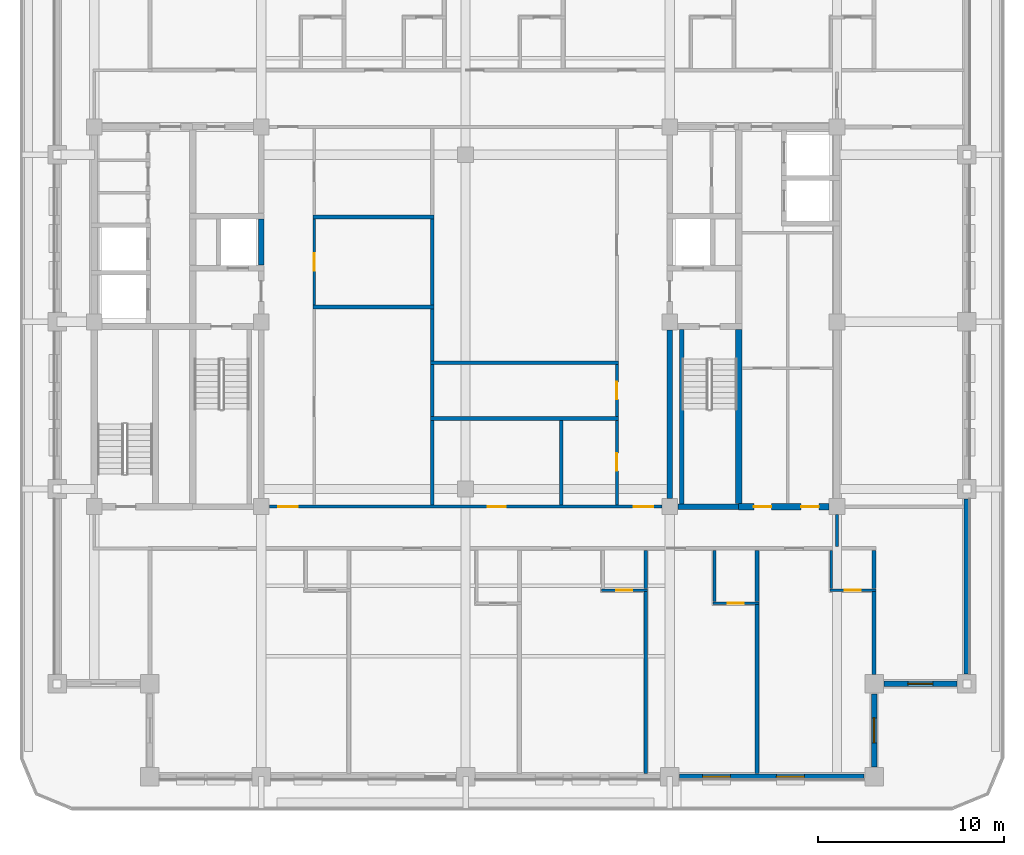
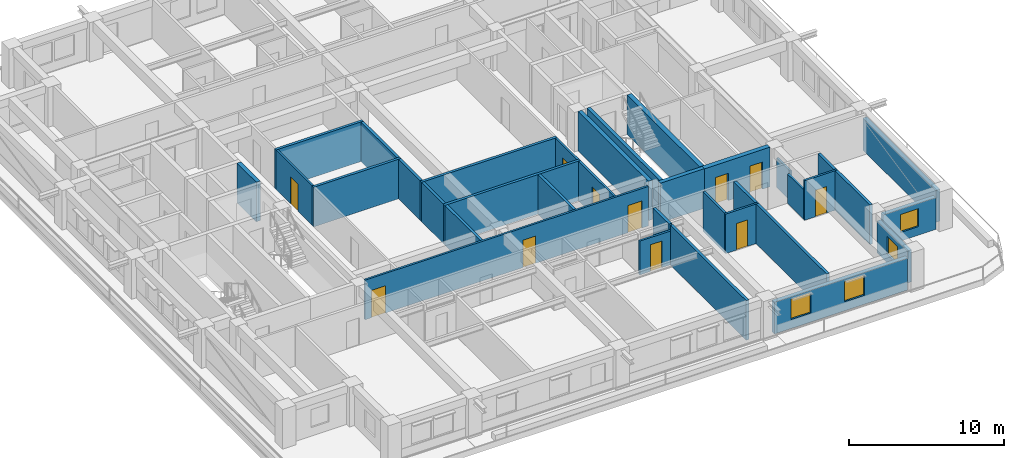
# One storey, part 4 of 15: 35 walls, 11 doors, 4 windows, 15 openings.
"""IFC4 building model written with IfcOpenShell, lengths in metres."""

from ifc_helpers import new_model, si_unit, direction, frame, frame_2d, origin, place, context, subcontext, project, spatial, rectangle, extrude, material, layer, layer_set, type_object, element, fill, save


model = new_model("IFC4")

# Units and contexts
model_context = context("Model", 3, precision=1e-05, world=origin(), true_north=direction((0.0, 1.0)))
body_context = subcontext(model_context, "Body", "Model", "MODEL_VIEW")
ifc_project = project(units=[si_unit("LENGTHUNIT", "METRE"), si_unit("AREAUNIT", "SQUARE_METRE"), si_unit("VOLUMEUNIT", "CUBIC_METRE"), si_unit("PLANEANGLEUNIT", "RADIAN"), si_unit("MASSUNIT", "GRAM", prefix="KILO")], contexts=[model_context])

# Site, building, storey
site_placement = place(None, origin())
site = spatial("IfcSite", under=ifc_project, at=site_placement, CompositionType="ELEMENT")
building_placement = place(site_placement, origin())
building = spatial("IfcBuilding", under=site, at=building_placement, Name="Zulmaris Gate Convention Tower", CompositionType="ELEMENT")
storey_placement = place(building_placement, frame((0.0, 0.0, 172.85986328125)))
storey = spatial("IfcBuildingStorey", under=building, at=storey_placement, Name="L44", CompositionType="ELEMENT", Elevation=172.85986328125)

# Walls
ifc_material_1 = material(Name="Concrete C50/60", Category="concrete")
ifc_layer_1 = layer(ifc_material_1, 0.25, Name="Concrete C50/60")
ifc_layer_set_1 = layer_set([ifc_layer_1], Name="Concrete C50/60")
wall_type_1 = type_object("IfcWallType", Name="CORE-250", PredefinedType="SOLIDWALL", material=ifc_layer_set_1)
wall_1_placement = place(storey_placement, frame((11.64990234375, -9.798095703125, 0.0), z_axis=(0.0, 0.0, 1.0), x_axis=(0.0, 1.0, 0.0)))
element("IfcWall", 1, at=wall_1_placement, inside=storey, type_object=wall_type_1, Name="WL-L44-067", PredefinedType="SOLIDWALL", context=body_context, shape_type="SweptSolid", body=[
    extrude(rectangle(XDim=9.39599609375, YDim=0.25, at=frame_2d((4.697998046875, 0.0))), origin(), (0.0, 0.0, 1.0), 3.125),
])
ifc_layer_2 = layer(ifc_material_1, 0.300048828125, Name="Concrete C50/60")
ifc_layer_set_2 = layer_set([ifc_layer_2], Name="Concrete C50/60")
wall_type_2 = type_object("IfcWallType", Name="CORE-300", PredefinedType="SHEAR", material=ifc_layer_set_2)
wall_2_placement = place(storey_placement, frame((11.428955078125, -9.949951171875, 0.0), z_axis=(0.0, 0.0, 1.0), x_axis=(1.0, 0.0, 0.0)))
element("IfcWall", 2, at=wall_2_placement, inside=storey, type_object=wall_type_2, Name="WL-L44-003", PredefinedType="SHEAR", context=body_context, shape_type="SweptSolid", body=[
    extrude(rectangle(XDim=3.27099609375, YDim=0.300048828125, at=frame_2d((1.635498046875, 0.0))), origin(), (0.0, 0.0, 1.0), 3.125),
])
wall_3_placement = place(storey_placement, frame((-11.0, 3.052001953125, 0.0), z_axis=(0.0, 0.0, 1.0), x_axis=(0.0, 1.0, 0.0)))
element("IfcWall", 3, at=wall_3_placement, inside=storey, type_object=wall_type_2, Name="WL-L44-061", PredefinedType="SHEAR", context=body_context, shape_type="SweptSolid", body=[
    extrude(rectangle(XDim=2.49609375, YDim=0.300048828125, at=frame_2d((1.248046875, 0.0))), origin(), (0.0, 0.0, 1.0), 3.125),
])
wall_4_placement = place(storey_placement, frame((11.0, -9.52099609375, 0.0), z_axis=(0.0, 0.0, 1.0), x_axis=(0.0, 1.0, 0.0)))
element("IfcWall", 4, at=wall_4_placement, inside=storey, type_object=wall_type_2, Name="WL-L44-063", PredefinedType="SHEAR", context=body_context, shape_type="SweptSolid", body=[
    extrude(rectangle(XDim=9.092041015625, YDim=0.300048828125, at=frame_2d((4.5458984375, 0.0))), origin(), (0.0, 0.0, 1.0), 3.125),
])

# Wall, openings, doors
ifc_material_2 = material(Name="Concrete C55/67", Category="concrete")
ifc_layer_3 = layer(ifc_material_2, 0.35009765625, Name="Concrete C55/67")
ifc_layer_set_3 = layer_set([ifc_layer_3], Name="Concrete C55/67")
wall_type_3 = type_object("IfcWallType", Name="CORE-350", PredefinedType="SHEAR", material=ifc_layer_set_3)
wall_5_placement = place(storey_placement, frame((14.699951171875, -9.949951171875, 0.0), z_axis=(0.0, 0.0, 1.0), x_axis=(1.0, 0.0, 0.0)))
wall_5 = element("IfcWall", 5, at=wall_5_placement, inside=storey, type_object=wall_type_3, Name="WL-L44-004", PredefinedType="SHEAR", context=body_context, shape_type="SweptSolid", body=[
    extrude(rectangle(XDim=4.87109375, YDim=0.35009765625, at=frame_2d((2.435546875, 0.0))), origin(), (0.0, 0.0, 1.0), 3.125),
])
opening_1_placement = place(wall_5_placement, frame((0.824951171875, 0.0, 0.0)))
opening_1 = element("IfcOpeningElement", 6, at=opening_1_placement, cuts=wall_5, Name="Opening D-11", PredefinedType="OPENING", context=body_context, shape_type="SweptSolid", body=[
    extrude(rectangle(XDim=0.949951171875, YDim=2.14990234375, at=frame_2d((0.47509765625, 1.074951171875))), frame((0.0, 0.18505859375, 0.0), z_axis=(0.0, -1.0, 0.0), x_axis=(1.0, 0.0, 0.0)), (0.0, 0.0, 1.0), 0.3701171875),
])
opening_2_placement = place(wall_5_placement, frame((3.375, 0.0, 0.0)))
opening_2 = element("IfcOpeningElement", 7, at=opening_2_placement, cuts=wall_5, Name="Opening D-11", PredefinedType="OPENING", context=body_context, shape_type="SweptSolid", body=[
    extrude(rectangle(XDim=0.949951171875, YDim=2.14990234375, at=frame_2d((0.47509765625, 1.074951171875))), frame((0.0, 0.18505859375, 0.0), z_axis=(0.0, -1.0, 0.0), x_axis=(1.0, 0.0, 0.0)), (0.0, 0.0, 1.0), 0.3701171875),
])
ifc_material_3 = material(Name="Fire-Rated Timber", Category="wood")
door_type_1 = type_object("IfcDoorType", Name="DR-950-FD", OperationType="NOTDEFINED", PredefinedType="DOOR", material=ifc_material_3)
door_1_placement = place(opening_1_placement, origin())
door_1 = element("IfcDoor", 8, at=door_1_placement, inside=storey, type_object=door_type_1, Name="L44 Staff WC Door 20", OperationType="SINGLE_SWING_LEFT", OverallHeight=2.14990234375, OverallWidth=0.949951171875, PredefinedType="DOOR", context=body_context, shape_type="SweptSolid", body=[
    extrude(rectangle(XDim=0.949951171875, YDim=2.14990234375, at=frame_2d((0.47509765625, 1.074951171875))), frame((0.0, 0.02490234375, 0.0), z_axis=(0.0, -1.0, 0.0), x_axis=(1.0, 0.0, 0.0)), (0.0, 0.0, 1.0), 0.050048828125),
])
fill(opening_1, door_1)
door_2_placement = place(opening_2_placement, origin())
door_2 = element("IfcDoor", 9, at=door_2_placement, inside=storey, type_object=door_type_1, Name="L44 Vending Room Door 22", OperationType="SINGLE_SWING_LEFT", OverallHeight=2.14990234375, OverallWidth=0.949951171875, PredefinedType="DOOR", context=body_context, shape_type="SweptSolid", body=[
    extrude(rectangle(XDim=0.949951171875, YDim=2.14990234375, at=frame_2d((0.47509765625, 1.074951171875))), frame((0.0, 0.02490234375, 0.0), z_axis=(0.0, -1.0, 0.0), x_axis=(1.0, 0.0, 0.0)), (0.0, 0.0, 1.0), 0.050048828125),
])
fill(opening_2, door_2)

# Wall
wall_6_placement = place(storey_placement, frame((14.699951171875, -9.77294921875, 0.0), z_axis=(0.0, 0.0, 1.0), x_axis=(0.0, 1.0, 0.0)))
element("IfcWall", 10, at=wall_6_placement, inside=storey, type_object=wall_type_3, Name="WL-L44-069", PredefinedType="SHEAR", context=body_context, shape_type="SweptSolid", body=[
    extrude(rectangle(XDim=9.370849609375, YDim=0.35009765625, at=frame_2d((4.685546875, 0.0))), origin(), (0.0, 0.0, 1.0), 3.125),
])

# Wall, opening, door
ifc_material_4 = material(Name="Gypsum Metal Stud Partition")
ifc_layer_4 = layer(ifc_material_4, 0.14990234375, Name="Gypsum Metal Stud Partition")
ifc_layer_set_4 = layer_set([ifc_layer_4], Name="Gypsum Metal Stud Partition")
wall_type_4 = type_object("IfcWallType", Name="PART-150", PredefinedType="PARTITIONING", material=ifc_layer_set_4)
wall_7_placement = place(storey_placement, frame((13.324951171875, -15.14990234375, 0.0), z_axis=(0.0, 0.0, 1.0), x_axis=(1.0, 0.0, 0.0)))
wall_7 = element("IfcWall", 11, at=wall_7_placement, inside=storey, type_object=wall_type_4, Name="WL-L44-020", PredefinedType="PARTITIONING", context=body_context, shape_type="SweptSolid", body=[
    extrude(rectangle(XDim=2.47509765625, YDim=0.14990234375, at=frame_2d((1.237548828125, 0.0))), origin(), (0.0, 0.0, 1.0), 3.125),
])
opening_3_placement = place(wall_7_placement, frame((0.800048828125, 0.0, 0.0)))
opening_3 = element("IfcOpeningElement", 12, at=opening_3_placement, cuts=wall_7, Name="Opening D-17", PredefinedType="OPENING", context=body_context, shape_type="SweptSolid", body=[
    extrude(rectangle(XDim=0.85009765625, YDim=2.10009765625, at=frame_2d((0.425048828125, 1.050048828125))), frame((0.0, 0.0849609375, 0.0), z_axis=(0.0, -1.0, 0.0), x_axis=(1.0, 0.0, 0.0)), (0.0, 0.0, 1.0), 0.169921875),
])
ifc_material_5 = material(Name="Moisture-Resistant Hardwood Timber", Category="wood")
door_type_2 = type_object("IfcDoorType", Name="DR-850", OperationType="NOTDEFINED", PredefinedType="DOOR", material=ifc_material_5)
door_3_placement = place(opening_3_placement, origin())
door_3 = element("IfcDoor", 13, at=door_3_placement, inside=storey, type_object=door_type_2, Name="L44 En-Suite Door 45", OperationType="SINGLE_SWING_RIGHT", OverallHeight=2.10009765625, OverallWidth=0.85009765625, PredefinedType="DOOR", context=body_context, shape_type="SweptSolid", body=[
    extrude(rectangle(XDim=0.85009765625, YDim=2.10009765625, at=frame_2d((0.425048828125, 1.050048828125))), frame((0.0, 0.02490234375, 0.0), z_axis=(0.0, -1.0, 0.0), x_axis=(1.0, 0.0, 0.0)), (0.0, 0.0, 1.0), 0.050048828125),
])
fill(opening_3, door_3)

wall_8_placement = place(storey_placement, frame((7.324951171875, -14.449951171875, 0.0), z_axis=(0.0, 0.0, 1.0), x_axis=(1.0, 0.0, 0.0)))
wall_8 = element("IfcWall", 14, at=wall_8_placement, inside=storey, type_object=wall_type_4, Name="WL-L44-022", PredefinedType="PARTITIONING", context=body_context, shape_type="SweptSolid", body=[
    extrude(rectangle(XDim=2.47509765625, YDim=0.14990234375, at=frame_2d((1.237548828125, 0.0))), origin(), (0.0, 0.0, 1.0), 2.6650390625),
])
opening_4_placement = place(wall_8_placement, frame((0.800048828125, 0.0, 0.0)))
opening_4 = element("IfcOpeningElement", 15, at=opening_4_placement, cuts=wall_8, Name="Opening D-17", PredefinedType="OPENING", context=body_context, shape_type="SweptSolid", body=[
    extrude(rectangle(XDim=0.85009765625, YDim=2.10009765625, at=frame_2d((0.425048828125, 1.050048828125))), frame((0.0, 0.0849609375, 0.0), z_axis=(0.0, -1.0, 0.0), x_axis=(1.0, 0.0, 0.0)), (0.0, 0.0, 1.0), 0.169921875),
])
door_4_placement = place(opening_4_placement, origin())
door_4 = element("IfcDoor", 16, at=door_4_placement, inside=storey, type_object=door_type_2, Name="L44 En-Suite Door 43", OperationType="SINGLE_SWING_RIGHT", OverallHeight=2.10009765625, OverallWidth=0.85009765625, PredefinedType="DOOR", context=body_context, shape_type="SweptSolid", body=[
    extrude(rectangle(XDim=0.85009765625, YDim=2.10009765625, at=frame_2d((0.425048828125, 1.050048828125))), frame((0.0, 0.02490234375, 0.0), z_axis=(0.0, -1.0, 0.0), x_axis=(1.0, 0.0, 0.0)), (0.0, 0.0, 1.0), 0.050048828125),
])
fill(opening_4, door_4)

wall_9_placement = place(storey_placement, frame((19.625, -14.449951171875, 0.0), z_axis=(0.0, 0.0, 1.0), x_axis=(1.0, 0.0, 0.0)))
wall_9 = element("IfcWall", 17, at=wall_9_placement, inside=storey, type_object=wall_type_4, Name="WL-L44-023", PredefinedType="PARTITIONING", context=body_context, shape_type="SweptSolid", body=[
    extrude(rectangle(XDim=2.47509765625, YDim=0.14990234375, at=frame_2d((1.237548828125, 0.0))), origin(), (0.0, 0.0, 1.0), 3.125),
])
opening_5_placement = place(wall_9_placement, frame((0.800048828125, 0.0, 0.0)))
opening_5 = element("IfcOpeningElement", 18, at=opening_5_placement, cuts=wall_9, Name="Opening D-17", PredefinedType="OPENING", context=body_context, shape_type="SweptSolid", body=[
    extrude(rectangle(XDim=0.85009765625, YDim=2.10009765625, at=frame_2d((0.425048828125, 1.050048828125))), frame((0.0, 0.0849609375, 0.0), z_axis=(0.0, -1.0, 0.0), x_axis=(1.0, 0.0, 0.0)), (0.0, 0.0, 1.0), 0.169921875),
])
door_5_placement = place(opening_5_placement, origin())
door_5 = element("IfcDoor", 19, at=door_5_placement, inside=storey, type_object=door_type_2, Name="L44 En-Suite Door 47", OperationType="SINGLE_SWING_RIGHT", OverallHeight=2.10009765625, OverallWidth=0.85009765625, PredefinedType="DOOR", context=body_context, shape_type="SweptSolid", body=[
    extrude(rectangle(XDim=0.85009765625, YDim=2.10009765625, at=frame_2d((0.425048828125, 1.050048828125))), frame((0.0, 0.02490234375, 0.0), z_axis=(0.0, -1.0, 0.0), x_axis=(1.0, 0.0, 0.0)), (0.0, 0.0, 1.0), 0.050048828125),
])
fill(opening_5, door_5)

# Wall, openings, doors
wall_10_placement = place(storey_placement, frame((-10.569091796875, -9.949951171875, 0.0), z_axis=(0.0, 0.0, 1.0), x_axis=(1.0, 0.0, 0.0)))
wall_10 = element("IfcWall", 20, at=wall_10_placement, inside=storey, type_object=wall_type_4, Name="WL-L44-026", PredefinedType="PARTITIONING", context=body_context, shape_type="SweptSolid", body=[
    extrude(rectangle(XDim=21.13818359375, YDim=0.14990234375, at=frame_2d((10.569091796875, 0.0))), origin(), (0.0, 0.0, 1.0), 3.125),
])
opening_6_placement = place(wall_10_placement, frame((0.47412109375, 0.0, 0.0)))
opening_6 = element("IfcOpeningElement", 21, at=opening_6_placement, cuts=wall_10, Name="Opening D-09", PredefinedType="OPENING", context=body_context, shape_type="SweptSolid", body=[
    extrude(rectangle(XDim=1.050048828125, YDim=2.14990234375, at=frame_2d((0.52490234375, 1.074951171875))), frame((0.0, 0.0849609375, 0.0), z_axis=(0.0, -1.0, 0.0), x_axis=(1.0, 0.0, 0.0)), (0.0, 0.0, 1.0), 0.169921875),
])
opening_7_placement = place(wall_10_placement, frame((19.614013671875, 0.0, 0.0)))
opening_7 = element("IfcOpeningElement", 22, at=opening_7_placement, cuts=wall_10, Name="Opening D-09", PredefinedType="OPENING", context=body_context, shape_type="SweptSolid", body=[
    extrude(rectangle(XDim=1.050048828125, YDim=2.14990234375, at=frame_2d((0.52490234375, 1.074951171875))), frame((0.0, 0.0849609375, 0.0), z_axis=(0.0, -1.0, 0.0), x_axis=(1.0, 0.0, 0.0)), (0.0, 0.0, 1.0), 0.169921875),
])
opening_8_placement = place(wall_10_placement, frame((11.77392578125, 0.0, 0.0)))
opening_8 = element("IfcOpeningElement", 23, at=opening_8_placement, cuts=wall_10, Name="Opening D-11", PredefinedType="OPENING", context=body_context, shape_type="SweptSolid", body=[
    extrude(rectangle(XDim=0.949951171875, YDim=2.14990234375, at=frame_2d((0.47509765625, 1.074951171875))), frame((0.0, 0.0849609375, 0.0), z_axis=(0.0, -1.0, 0.0), x_axis=(1.0, 0.0, 0.0)), (0.0, 0.0, 1.0), 0.169921875),
])
ifc_material_6 = material(Name="Fire-Rated Steel", Category="steel")
door_type_3 = type_object("IfcDoorType", Name="DR-1050-FD", OperationType="NOTDEFINED", PredefinedType="DOOR", material=ifc_material_6)
door_6_placement = place(opening_6_placement, origin())
door_6 = element("IfcDoor", 24, at=door_6_placement, inside=storey, type_object=door_type_3, Name="L44 SW Hotel Loop Door 25", OperationType="SINGLE_SWING_RIGHT", OverallHeight=2.14990234375, OverallWidth=1.050048828125, PredefinedType="DOOR", context=body_context, shape_type="SweptSolid", body=[
    extrude(rectangle(XDim=1.050048828125, YDim=2.14990234375, at=frame_2d((0.52490234375, 1.074951171875))), frame((0.0, 0.02490234375, 0.0), z_axis=(0.0, -1.0, 0.0), x_axis=(1.0, 0.0, 0.0)), (0.0, 0.0, 1.0), 0.050048828125),
])
fill(opening_6, door_6)
door_7_placement = place(opening_7_placement, origin())
door_7 = element("IfcDoor", 25, at=door_7_placement, inside=storey, type_object=door_type_3, Name="L44 SE Hotel Loop Door 27", OperationType="SINGLE_SWING_RIGHT", OverallHeight=2.14990234375, OverallWidth=1.050048828125, PredefinedType="DOOR", context=body_context, shape_type="SweptSolid", body=[
    extrude(rectangle(XDim=1.050048828125, YDim=2.14990234375, at=frame_2d((0.52490234375, 1.074951171875))), frame((0.0, 0.02490234375, 0.0), z_axis=(0.0, -1.0, 0.0), x_axis=(1.0, 0.0, 0.0)), (0.0, 0.0, 1.0), 0.050048828125),
])
fill(opening_7, door_7)
door_8_placement = place(opening_8_placement, origin())
door_8 = element("IfcDoor", 26, at=door_8_placement, inside=storey, type_object=door_type_1, Name="L44 Staging Store Door 54", OperationType="SINGLE_SWING_LEFT", OverallHeight=2.14990234375, OverallWidth=0.949951171875, PredefinedType="DOOR", context=body_context, shape_type="SweptSolid", body=[
    extrude(rectangle(XDim=0.949951171875, YDim=2.14990234375, at=frame_2d((0.47509765625, 1.074951171875))), frame((0.0, 0.02490234375, 0.0), z_axis=(0.0, -1.0, 0.0), x_axis=(1.0, 0.0, 0.0)), (0.0, 0.0, 1.0), 0.050048828125),
])
fill(opening_8, door_8)

# Wall, opening, door
wall_11_placement = place(storey_placement, frame((-8.14990234375, 0.903076171875, 0.0), z_axis=(0.0, 0.0, 1.0), x_axis=(0.0, 1.0, 0.0)))
wall_11 = element("IfcWall", 27, at=wall_11_placement, inside=storey, type_object=wall_type_4, Name="WL-L44-088", PredefinedType="PARTITIONING", context=body_context, shape_type="SweptSolid", body=[
    extrude(rectangle(XDim=4.64404296875, YDim=0.14990234375, at=frame_2d((2.322021484375, 0.0))), origin(), (0.0, 0.0, 1.0), 3.125),
])
opening_9_placement = place(wall_11_placement, frame((1.85205078125, 0.0, 0.0)))
opening_9 = element("IfcOpeningElement", 28, at=opening_9_placement, cuts=wall_11, Name="Opening D-11", PredefinedType="OPENING", context=body_context, shape_type="SweptSolid", body=[
    extrude(rectangle(XDim=0.949951171875, YDim=2.14990234375, at=frame_2d((0.47509765625, 1.074951171875))), frame((0.0, 0.0849609375, 0.0), z_axis=(0.0, -1.0, 0.0), x_axis=(1.0, 0.0, 0.0)), (0.0, 0.0, 1.0), 0.169921875),
])
door_9_placement = place(opening_9_placement, origin())
door_9 = element("IfcDoor", 29, at=door_9_placement, inside=storey, type_object=door_type_1, Name="L44 Tea Salon Door 49", OperationType="SINGLE_SWING_RIGHT", OverallHeight=2.14990234375, OverallWidth=0.949951171875, PredefinedType="DOOR", context=body_context, shape_type="SweptSolid", body=[
    extrude(rectangle(XDim=0.949951171875, YDim=2.14990234375, at=frame_2d((0.47509765625, 1.074951171875))), frame((0.0, 0.02490234375, 0.0), z_axis=(0.0, -1.0, 0.0), x_axis=(1.0, 0.0, 0.0)), (0.0, 0.0, 1.0), 0.050048828125),
])
fill(opening_9, door_9)

wall_12_placement = place(storey_placement, frame((8.14990234375, -9.8720703125, 0.0), z_axis=(0.0, 0.0, 1.0), x_axis=(0.0, 1.0, 0.0)))
wall_12 = element("IfcWall", 30, at=wall_12_placement, inside=storey, type_object=wall_type_4, Name="WL-L44-110", PredefinedType="PARTITIONING", context=body_context, shape_type="SweptSolid", body=[
    extrude(rectangle(XDim=4.569091796875, YDim=0.14990234375, at=frame_2d((2.28466796875, 0.0))), origin(), (0.0, 0.0, 1.0), 3.125),
])
opening_10_placement = place(wall_12_placement, frame((1.846923828125, 0.0, 0.0)))
opening_10 = element("IfcOpeningElement", 31, at=opening_10_placement, cuts=wall_12, Name="Opening D-11", PredefinedType="OPENING", context=body_context, shape_type="SweptSolid", body=[
    extrude(rectangle(XDim=0.949951171875, YDim=2.14990234375, at=frame_2d((0.47509765625, 1.074951171875))), frame((0.0, 0.0849609375, 0.0), z_axis=(0.0, -1.0, 0.0), x_axis=(1.0, 0.0, 0.0)), (0.0, 0.0, 1.0), 0.169921875),
])
door_10_placement = place(opening_10_placement, origin())
door_10 = element("IfcDoor", 32, at=door_10_placement, inside=storey, type_object=door_type_1, Name="L44 Accessible WC Door 53", OperationType="SINGLE_SWING_RIGHT", OverallHeight=2.14990234375, OverallWidth=0.949951171875, PredefinedType="DOOR", context=body_context, shape_type="SweptSolid", body=[
    extrude(rectangle(XDim=0.949951171875, YDim=2.14990234375, at=frame_2d((0.47509765625, 1.074951171875))), frame((0.0, 0.02490234375, 0.0), z_axis=(0.0, -1.0, 0.0), x_axis=(1.0, 0.0, 0.0)), (0.0, 0.0, 1.0), 0.050048828125),
])
fill(opening_10, door_10)

wall_13_placement = place(storey_placement, frame((8.14990234375, -5.096923828125, 0.0), z_axis=(0.0, 0.0, 1.0), x_axis=(0.0, 1.0, 0.0)))
wall_13 = element("IfcWall", 33, at=wall_13_placement, inside=storey, type_object=wall_type_4, Name="WL-L44-111", PredefinedType="PARTITIONING", context=body_context, shape_type="SweptSolid", body=[
    extrude(rectangle(XDim=2.7939453125, YDim=0.14990234375, at=frame_2d((1.39697265625, 0.0))), origin(), (0.0, 0.0, 1.0), 3.125),
])
opening_11_placement = place(wall_13_placement, frame((0.922119140625, 0.0, 0.0)))
opening_11 = element("IfcOpeningElement", 34, at=opening_11_placement, cuts=wall_13, Name="Opening D-11", PredefinedType="OPENING", context=body_context, shape_type="SweptSolid", body=[
    extrude(rectangle(XDim=0.949951171875, YDim=2.14990234375, at=frame_2d((0.47509765625, 1.074951171875))), frame((0.0, 0.0849609375, 0.0), z_axis=(0.0, -1.0, 0.0), x_axis=(1.0, 0.0, 0.0)), (0.0, 0.0, 1.0), 0.169921875),
])
door_11_placement = place(opening_11_placement, origin())
door_11 = element("IfcDoor", 35, at=door_11_placement, inside=storey, type_object=door_type_1, Name="L44 Public WC Door 52", OperationType="SINGLE_SWING_LEFT", OverallHeight=2.14990234375, OverallWidth=0.949951171875, PredefinedType="DOOR", context=body_context, shape_type="SweptSolid", body=[
    extrude(rectangle(XDim=0.949951171875, YDim=2.14990234375, at=frame_2d((0.47509765625, 1.074951171875))), frame((0.0, 0.02490234375, 0.0), z_axis=(0.0, -1.0, 0.0), x_axis=(1.0, 0.0, 0.0)), (0.0, 0.0, 1.0), 0.050048828125),
])
fill(opening_11, door_11)

# Walls
wall_14_placement = place(storey_placement, frame((13.39990234375, -15.072021484375, 0.0), z_axis=(0.0, 0.0, 1.0), x_axis=(0.0, 1.0, 0.0)))
element("IfcWall", 36, at=wall_14_placement, inside=storey, type_object=wall_type_4, Name="WL-L44-117", PredefinedType="PARTITIONING", context=body_context, shape_type="SweptSolid", body=[
    extrude(rectangle(XDim=2.76904296875, YDim=0.14990234375, at=frame_2d((1.384521484375, 0.0))), origin(), (0.0, 0.0, 1.0), 3.125),
])
wall_15_placement = place(storey_placement, frame((19.699951171875, -14.3720703125, 0.0), z_axis=(0.0, 0.0, 1.0), x_axis=(0.0, 1.0, 0.0)))
element("IfcWall", 37, at=wall_15_placement, inside=storey, type_object=wall_type_4, Name="WL-L44-124", PredefinedType="PARTITIONING", context=body_context, shape_type="SweptSolid", body=[
    extrude(rectangle(XDim=2.069091796875, YDim=0.14990234375, at=frame_2d((1.03466796875, 0.0))), origin(), (0.0, 0.0, 1.0), 2.31689453125),
])
wall_16_placement = place(storey_placement, frame((20.0, -12.096923828125, 0.0), z_axis=(0.0, 0.0, 1.0), x_axis=(0.0, 1.0, 0.0)))
element("IfcWall", 38, at=wall_16_placement, inside=storey, type_object=wall_type_4, Name="WL-L44-126", PredefinedType="PARTITIONING", context=body_context, shape_type="SweptSolid", body=[
    extrude(rectangle(XDim=1.7158203125, YDim=0.14990234375, at=frame_2d((0.85791015625, 0.0))), origin(), (0.0, 0.0, 1.0), 2.31689453125),
])
ifc_material_7 = material(Name="Autoclaved Aerated Concrete Block and Plasterboard", Category="concrete")
ifc_layer_5 = layer(ifc_material_7, 0.199951171875, Name="Autoclaved Aerated Concrete Block and Plasterboard")
ifc_layer_set_5 = layer_set([ifc_layer_5], Name="Autoclaved Aerated Concrete Block and Plasterboard")
wall_type_5 = type_object("IfcWallType", Name="PART-200", PredefinedType="PARTITIONING", material=ifc_layer_set_5)
for number, where, z_axis, x_axis, name in (
    (39, (-1.89990234375, -5.199951171875, 0.0), (0.0, 0.0, 1.0), (1.0, 0.0, 0.0), "WL-L44-028"),
    (40, (-1.89990234375, -2.199951171875, 0.0), (0.0, 0.0, 1.0), (1.0, 0.0, 0.0), "WL-L44-030"),
):
    element("IfcWall", number, at=place(storey_placement, frame(where, z_axis=z_axis, x_axis=x_axis)), inside=storey, type_object=wall_type_5, Name=name, PredefinedType="PARTITIONING", context=body_context, shape_type="SweptSolid", body=[
        extrude(rectangle(XDim=10.125, YDim=0.199951171875, at=frame_2d((5.0625, 0.0))), origin(), (0.0, 0.0, 1.0), 3.125),
    ])
for number, where, z_axis, x_axis, name in (
    (41, (-8.22509765625, 0.800048828125, 0.0), (0.0, 0.0, 1.0), (1.0, 0.0, 0.0), "WL-L44-031"),
    (42, (-8.22509765625, 5.64990234375, 0.0), (0.0, 0.0, 1.0), (1.0, 0.0, 0.0), "WL-L44-033"),
):
    element("IfcWall", number, at=place(storey_placement, frame(where, z_axis=z_axis, x_axis=x_axis)), inside=storey, type_object=wall_type_5, Name=name, PredefinedType="PARTITIONING", context=body_context, shape_type="SweptSolid", body=[
        extrude(rectangle(XDim=6.525146484375, YDim=0.199951171875, at=frame_2d((3.2626953125, 0.0))), origin(), (0.0, 0.0, 1.0), 3.125),
    ])
wall_17_placement = place(storey_placement, frame((-1.800048828125, -9.8720703125, 0.0), z_axis=(0.0, 0.0, 1.0), x_axis=(0.0, 1.0, 0.0)))
element("IfcWall", 43, at=wall_17_placement, inside=storey, type_object=wall_type_5, Name="WL-L44-095", PredefinedType="PARTITIONING", context=body_context, shape_type="SweptSolid", body=[
    extrude(rectangle(XDim=4.569091796875, YDim=0.199951171875, at=frame_2d((2.28466796875, 0.0))), origin(), (0.0, 0.0, 1.0), 3.125),
])
for number, where, z_axis, x_axis, name in (
    (44, (-1.800048828125, -5.096923828125, 0.0), (0.0, 0.0, 1.0), (0.0, 1.0, 0.0), "WL-L44-096"),
    (45, (-1.800048828125, -2.096923828125, 0.0), (0.0, 0.0, 1.0), (0.0, 1.0, 0.0), "WL-L44-097"),
):
    element("IfcWall", number, at=place(storey_placement, frame(where, z_axis=z_axis, x_axis=x_axis)), inside=storey, type_object=wall_type_5, Name=name, PredefinedType="PARTITIONING", context=body_context, shape_type="SweptSolid", body=[
        extrude(rectangle(XDim=2.7939453125, YDim=0.199951171875, at=frame_2d((1.39697265625, 0.0))), origin(), (0.0, 0.0, 1.0), 3.125),
    ])
wall_18_placement = place(storey_placement, frame((-1.800048828125, 0.903076171875, 0.0), z_axis=(0.0, 0.0, 1.0), x_axis=(0.0, 1.0, 0.0)))
element("IfcWall", 46, at=wall_18_placement, inside=storey, type_object=wall_type_5, Name="WL-L44-098", PredefinedType="PARTITIONING", context=body_context, shape_type="SweptSolid", body=[
    extrude(rectangle(XDim=4.64404296875, YDim=0.199951171875, at=frame_2d((2.322021484375, 0.0))), origin(), (0.0, 0.0, 1.0), 3.125),
])
wall_19_placement = place(storey_placement, frame((5.14990234375, -9.8720703125, 0.0), z_axis=(0.0, 0.0, 1.0), x_axis=(0.0, 1.0, 0.0)))
element("IfcWall", 47, at=wall_19_placement, inside=storey, type_object=wall_type_5, Name="WL-L44-106", PredefinedType="PARTITIONING", context=body_context, shape_type="SweptSolid", body=[
    extrude(rectangle(XDim=4.569091796875, YDim=0.199951171875, at=frame_2d((2.28466796875, 0.0))), origin(), (0.0, 0.0, 1.0), 3.125),
])
wall_20_placement = place(storey_placement, frame((9.699951171875, -24.3349609375, 0.0), z_axis=(0.0, 0.0, 1.0), x_axis=(0.0, 1.0, 0.0)))
element("IfcWall", 48, at=wall_20_placement, inside=storey, type_object=wall_type_5, Name="WL-L44-113", PredefinedType="PARTITIONING", context=body_context, shape_type="SweptSolid", body=[
    extrude(rectangle(XDim=9.806884765625, YDim=0.199951171875, at=frame_2d((4.9033203125, 0.0))), origin(), (0.0, 0.0, 1.0), 3.125),
])
wall_21_placement = place(storey_placement, frame((9.699951171875, -14.3720703125, 0.0), z_axis=(0.0, 0.0, 1.0), x_axis=(0.0, 1.0, 0.0)))
element("IfcWall", 49, at=wall_21_placement, inside=storey, type_object=wall_type_5, Name="WL-L44-114", PredefinedType="PARTITIONING", context=body_context, shape_type="SweptSolid", body=[
    extrude(rectangle(XDim=2.069091796875, YDim=0.199951171875, at=frame_2d((1.03466796875, 0.0))), origin(), (0.0, 0.0, 1.0), 3.125),
])
wall_22_placement = place(storey_placement, frame((15.699951171875, -24.3349609375, 0.0), z_axis=(0.0, 0.0, 1.0), x_axis=(0.0, 1.0, 0.0)))
element("IfcWall", 50, at=wall_22_placement, inside=storey, type_object=wall_type_5, Name="WL-L44-120", PredefinedType="PARTITIONING", context=body_context, shape_type="SweptSolid", body=[
    extrude(rectangle(XDim=9.10693359375, YDim=0.199951171875, at=frame_2d((4.553466796875, 0.0))), origin(), (0.0, 0.0, 1.0), 3.125),
])
wall_23_placement = place(storey_placement, frame((15.699951171875, -15.072021484375, 0.0), z_axis=(0.0, 0.0, 1.0), x_axis=(0.0, 1.0, 0.0)))
element("IfcWall", 51, at=wall_23_placement, inside=storey, type_object=wall_type_5, Name="WL-L44-121", PredefinedType="PARTITIONING", context=body_context, shape_type="SweptSolid", body=[
    extrude(rectangle(XDim=2.76904296875, YDim=0.199951171875, at=frame_2d((1.384521484375, 0.0))), origin(), (0.0, 0.0, 1.0), 3.125),
])
wall_24_placement = place(storey_placement, frame((22.0, -18.993896484375, 0.0), z_axis=(0.0, 0.0, 1.0), x_axis=(0.0, 1.0, 0.0)))
element("IfcWall", 52, at=wall_24_placement, inside=storey, type_object=wall_type_5, Name="WL-L44-128", PredefinedType="PARTITIONING", context=body_context, shape_type="SweptSolid", body=[
    extrude(rectangle(XDim=4.4658203125, YDim=0.199951171875, at=frame_2d((2.23291015625, 0.0))), origin(), (0.0, 0.0, 1.0), 3.125),
])
wall_25_placement = place(storey_placement, frame((22.0, -14.3720703125, 0.0), z_axis=(0.0, 0.0, 1.0), x_axis=(0.0, 1.0, 0.0)))
element("IfcWall", 53, at=wall_25_placement, inside=storey, type_object=wall_type_5, Name="WL-L44-129", PredefinedType="PARTITIONING", context=body_context, shape_type="SweptSolid", body=[
    extrude(rectangle(XDim=2.069091796875, YDim=0.199951171875, at=frame_2d((1.03466796875, 0.0))), origin(), (0.0, 0.0, 1.0), 3.125),
])

# Wall, opening, window
ifc_material_8 = material(Name="Precast concrete C40/50", Category="concrete")
ifc_layer_6 = layer(ifc_material_8, 0.300048828125, Name="Precast concrete C40/50")
ifc_layer_set_6 = layer_set([ifc_layer_6], Name="Precast concrete C40/50")
wall_type_6 = type_object("IfcWallType", Name="PRECAST-PIER-300", PredefinedType="STANDARD", material=ifc_layer_set_6)
wall_26_placement = place(storey_placement, frame((22.0, -23.969970703125, 0.0), z_axis=(0.0, 0.0, 1.0), x_axis=(0.0, 1.0, 0.0)))
wall_26 = element("IfcWall", 54, at=wall_26_placement, inside=storey, type_object=wall_type_6, Name="EW-L44-NOTCH-SE1_0", PredefinedType="STANDARD", context=body_context, shape_type="SweptSolid", body=[
    extrude(rectangle(XDim=3.93994140625, YDim=0.300048828125, at=frame_2d((1.969970703125, 0.0))), origin(), (0.0, 0.0, 1.0), 2.516845703125),
])
opening_12_placement = place(wall_26_placement, frame((1.294921875, 0.0, 0.679931640625)))
opening_12 = element("IfcOpeningElement", 55, at=opening_12_placement, cuts=wall_26, Name="Opening W-10", PredefinedType="OPENING", context=body_context, shape_type="SweptSolid", body=[
    extrude(rectangle(XDim=1.35009765625, YDim=1.419921875, at=frame_2d((0.675048828125, 0.7099609375))), frame((0.0, 0.16015625, 0.0), z_axis=(0.0, -1.0, 0.0), x_axis=(1.0, 0.0, 0.0)), (0.0, 0.0, 1.0), 0.320068359375),
])
ifc_material_9 = material(Name="Low-E Laminated Double Glazing in Aluminium Frame", Category="aluminium")
window_type_1 = type_object("IfcWindowType", Name="WIN-1350x2000", PartitioningType="SINGLE_PANEL", PredefinedType="WINDOW", material=ifc_material_9)
window_1_placement = place(opening_12_placement, origin())
window_1 = element("IfcWindow", 56, at=window_1_placement, inside=storey, type_object=window_type_1, Name="WN-EW-L44-NOTCH-SE1_0", OverallHeight=1.419921875, OverallWidth=1.35009765625, PartitioningType="SINGLE_PANEL", PredefinedType="WINDOW", context=body_context, shape_type="SweptSolid", body=[
    extrude(rectangle(XDim=1.35009765625, YDim=1.419921875, at=frame_2d((0.675048828125, 0.7099609375))), frame((0.0, 0.030029296875, 0.0), z_axis=(0.0, -1.0, 0.0), x_axis=(1.0, 0.0, 0.0)), (0.0, 0.0, 1.0), 0.06005859375),
])
fill(opening_12, window_1)

wall_27_placement = place(storey_placement, frame((22.530029296875, -19.5, 0.0), z_axis=(0.0, 0.0, 1.0), x_axis=(1.0, 0.0, 0.0)))
wall_27 = element("IfcWall", 57, at=wall_27_placement, inside=storey, type_object=wall_type_6, Name="EW-L44-NOTCH-SE2_0", PredefinedType="STANDARD", context=body_context, shape_type="SweptSolid", body=[
    extrude(rectangle(XDim=3.93994140625, YDim=0.300048828125, at=frame_2d((1.969970703125, 0.0))), origin(), (0.0, 0.0, 1.0), 2.516845703125),
])
opening_13_placement = place(wall_27_placement, frame((1.294921875, 0.0, 0.679931640625)))
opening_13 = element("IfcOpeningElement", 58, at=opening_13_placement, cuts=wall_27, Name="Opening W-10", PredefinedType="OPENING", context=body_context, shape_type="SweptSolid", body=[
    extrude(rectangle(XDim=1.35009765625, YDim=1.419921875, at=frame_2d((0.675048828125, 0.7099609375))), frame((0.0, 0.16015625, 0.0), z_axis=(0.0, -1.0, 0.0), x_axis=(1.0, 0.0, 0.0)), (0.0, 0.0, 1.0), 0.320068359375),
])
window_2_placement = place(opening_13_placement, origin())
window_2 = element("IfcWindow", 59, at=window_2_placement, inside=storey, type_object=window_type_1, Name="WN-EW-L44-NOTCH-SE2_0", OverallHeight=1.419921875, OverallWidth=1.35009765625, PartitioningType="SINGLE_PANEL", PredefinedType="WINDOW", context=body_context, shape_type="SweptSolid", body=[
    extrude(rectangle(XDim=1.35009765625, YDim=1.419921875, at=frame_2d((0.675048828125, 0.7099609375))), frame((0.0, 0.030029296875, 0.0), z_axis=(0.0, -1.0, 0.0), x_axis=(1.0, 0.0, 0.0)), (0.0, 0.0, 1.0), 0.06005859375),
])
fill(opening_13, window_2)

# Wall, openings, windows
wall_28_placement = place(storey_placement, frame((11.530029296875, -24.5, 0.0), z_axis=(0.0, 0.0, 1.0), x_axis=(1.0, 0.0, 0.0)))
wall_28 = element("IfcWall", 60, at=wall_28_placement, inside=storey, type_object=wall_type_6, Name="EW-L44-S-3_0", PredefinedType="STANDARD", context=body_context, shape_type="SweptSolid", body=[
    extrude(rectangle(XDim=9.93994140625, YDim=0.300048828125, at=frame_2d((4.969970703125, 0.0))), origin(), (0.0, 0.0, 1.0), 2.516845703125),
])
opening_14_placement = place(wall_28_placement, frame((1.238037109375, 0.0, 0.719970703125)))
opening_14 = element("IfcOpeningElement", 61, at=opening_14_placement, cuts=wall_28, Name="Opening W-03", PredefinedType="OPENING", context=body_context, shape_type="SweptSolid", body=[
    extrude(rectangle(XDim=1.5, YDim=1.60009765625, at=frame_2d((0.75, 0.800048828125))), frame((0.0, 0.16015625, 0.0), z_axis=(0.0, -1.0, 0.0), x_axis=(1.0, 0.0, 0.0)), (0.0, 0.0, 1.0), 0.320068359375),
])
opening_15_placement = place(wall_28_placement, frame((5.214111328125, 0.0, 0.719970703125)))
opening_15 = element("IfcOpeningElement", 62, at=opening_15_placement, cuts=wall_28, Name="Opening W-03", PredefinedType="OPENING", context=body_context, shape_type="SweptSolid", body=[
    extrude(rectangle(XDim=1.5, YDim=1.60009765625, at=frame_2d((0.75, 0.800048828125))), frame((0.0, 0.16015625, 0.0), z_axis=(0.0, -1.0, 0.0), x_axis=(1.0, 0.0, 0.0)), (0.0, 0.0, 1.0), 0.320068359375),
])
window_type_2 = type_object("IfcWindowType", Name="WIN-1500x2100", PartitioningType="SINGLE_PANEL", PredefinedType="WINDOW", material=ifc_material_9)
window_3_placement = place(opening_14_placement, origin())
window_3 = element("IfcWindow", 63, at=window_3_placement, inside=storey, type_object=window_type_2, Name="WN-EW-L44-S-3_0-1", OverallHeight=1.60009765625, OverallWidth=1.5, PartitioningType="SINGLE_PANEL", PredefinedType="WINDOW", context=body_context, shape_type="SweptSolid", body=[
    extrude(rectangle(XDim=1.5, YDim=1.60009765625, at=frame_2d((0.75, 0.800048828125))), frame((0.0, 0.030029296875, 0.0), z_axis=(0.0, -1.0, 0.0), x_axis=(1.0, 0.0, 0.0)), (0.0, 0.0, 1.0), 0.06005859375),
])
fill(opening_14, window_3)
window_4_placement = place(opening_15_placement, origin())
window_4 = element("IfcWindow", 64, at=window_4_placement, inside=storey, type_object=window_type_2, Name="WN-EW-L44-S-3_0-3", OverallHeight=1.60009765625, OverallWidth=1.5, PartitioningType="SINGLE_PANEL", PredefinedType="WINDOW", context=body_context, shape_type="SweptSolid", body=[
    extrude(rectangle(XDim=1.5, YDim=1.60009765625, at=frame_2d((0.75, 0.800048828125))), frame((0.0, 0.030029296875, 0.0), z_axis=(0.0, -1.0, 0.0), x_axis=(1.0, 0.0, 0.0)), (0.0, 0.0, 1.0), 0.06005859375),
])
fill(opening_15, window_4)

# Wall
wall_29_placement = place(storey_placement, frame((27.0, -18.969970703125, 0.0), z_axis=(0.0, 0.0, 1.0), x_axis=(0.0, 1.0, 0.0)))
element("IfcWall", 65, at=wall_29_placement, inside=storey, type_object=wall_type_6, Name="EW-L44-E-0_0", PredefinedType="STANDARD", context=body_context, shape_type="SweptSolid", body=[
    extrude(rectangle(XDim=9.43994140625, YDim=0.300048828125, at=frame_2d((4.719970703125, 0.0))), origin(), (0.0, 0.0, 1.0), 2.516845703125),
])

save(model, "model.ifc")
